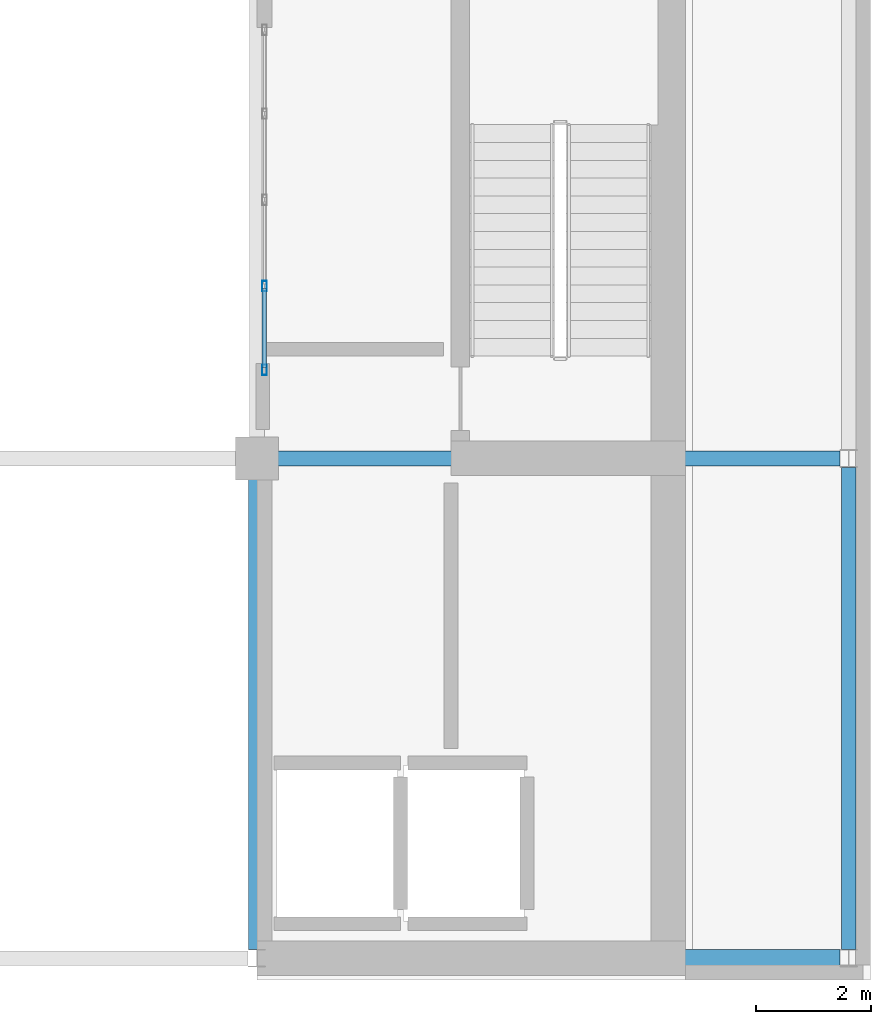
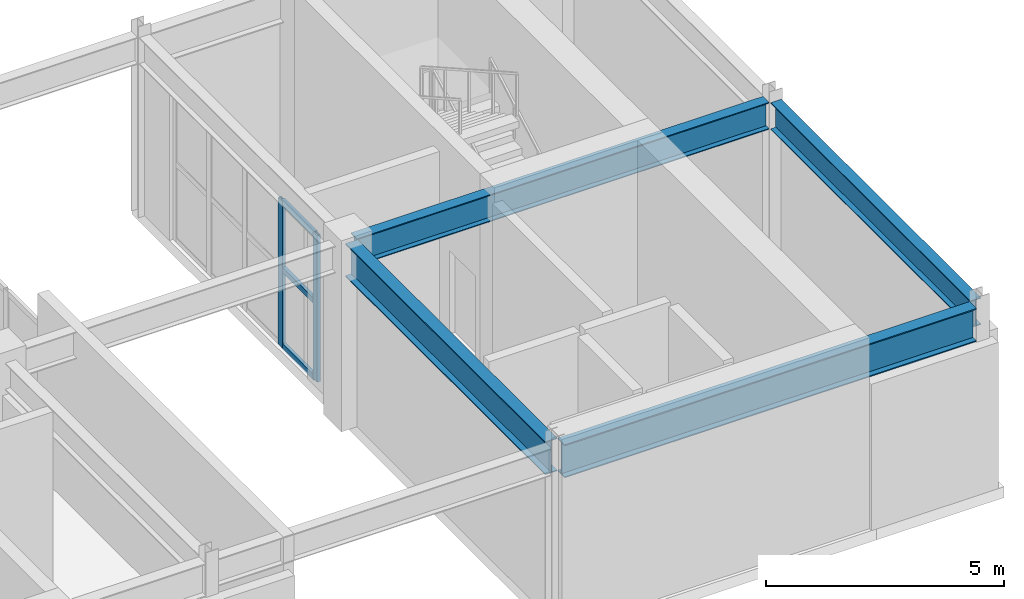
# One storey, part 3 of 9: 5 members, 4 beams, 1 element without a shape of its own.
"""IFC4 building model written with IfcOpenShell, lengths in metres."""

from ifc_helpers import new_model, si_unit, direction, frame, origin, origin_2d, place, context, subcontext, project, spatial, hollow_rectangle, i_section, extrude, material, layer, layer_set, material_profile, profile_set, type_object, element, aggregate, save


model = new_model("IFC4")

# Units and contexts
model_context = context("Model", 3, precision=1e-05, world=origin(), true_north=direction((0.0, 1.0)))
body_context = subcontext(model_context, "Body", "Model", "MODEL_VIEW")
ifc_project = project(units=[si_unit("LENGTHUNIT", "METRE"), si_unit("AREAUNIT", "SQUARE_METRE"), si_unit("VOLUMEUNIT", "CUBIC_METRE"), si_unit("PLANEANGLEUNIT", "RADIAN"), si_unit("MASSUNIT", "GRAM", prefix="KILO")], contexts=[model_context])

# Site, building, storey
site_placement = place(None, origin())
site = spatial("IfcSite", under=ifc_project, at=site_placement, CompositionType="ELEMENT")
building_placement = place(site_placement, origin())
building = spatial("IfcBuilding", under=site, at=building_placement, Name="Solanera Arch Residences", CompositionType="ELEMENT")
storey_placement = place(building_placement, frame((0.0, 0.0, 292.780029296875)))
storey = spatial("IfcBuildingStorey", under=building, at=storey_placement, Name="L83", CompositionType="ELEMENT", Elevation=292.780029296875)

# Curtain wall, members
ifc_material_1 = material(Name="Anodised Aluminium Alloy 6063-T6", Category="aluminium")
ifc_layer = layer(ifc_material_1, 0.179931640625)
ifc_layer_set = layer_set([ifc_layer], Name="Anodised Aluminium Alloy 6063-T6")
curtain_wall_type = type_object("IfcCurtainWallType", Name="CW-6 Split-Top Crown Lantern Curtain Wall", PredefinedType="USERDEFINED", material=ifc_layer_set)
curtain_wall_placement = place(storey_placement, origin())
curtain_wall = element("IfcCurtainWall", 1, at=curtain_wall_placement, inside=storey, type_object=curtain_wall_type, Name="L83 E Crown Cleft Lantern Curtain Wall", ObjectType="CURTAIN_WALL", PredefinedType="USERDEFINED")
ifc_material_2 = material(Name="Anodised Aluminium Alloy 6063-T6", Category="aluminium")
ifc_material_profile_1 = material_profile(ifc_material_2, hollow_rectangle(XDim=0.080078125, YDim=0.179931640625, WallThickness=0.00390625, at=origin_2d()))
ifc_profile_set_1 = profile_set([ifc_material_profile_1], Name="Anodised Aluminium Alloy 6063-T6")
member_type_1 = type_object("IfcMemberType", Name="Curtain Wall Mullion ALU-MUL-80X180", PredefinedType="MULLION", material=ifc_profile_set_1)
member_1_placement = place(storey_placement, frame((29.330078125, 32.239990234375, 0.0), z_axis=(0.0, 0.0, 1.0), x_axis=(-1.0, 0.0, 0.0)))
member_1 = element("IfcMember", 2, at=member_1_placement, type_object=member_type_1, Name="CW-6 mullion 1", PredefinedType="MULLION", context=body_context, shape_type="SweptSolid", body=[
    extrude(hollow_rectangle(XDim=0.080078125, YDim=0.179931640625, WallThickness=0.00390625, at=origin_2d()), origin(), (0.0, 0.0, 1.0), 3.760009765625),
])
member_2_placement = place(storey_placement, frame((29.330078125, 33.699951171875, 0.0), z_axis=(0.0, 0.0, 1.0), x_axis=(-1.0, 0.0, 0.0)))
member_2 = element("IfcMember", 3, at=member_2_placement, type_object=member_type_1, Name="CW-6 mullion 2", PredefinedType="MULLION", context=body_context, shape_type="SweptSolid", body=[
    extrude(hollow_rectangle(XDim=0.080078125, YDim=0.179931640625, WallThickness=0.00390625, at=origin_2d()), origin(), (0.0, 0.0, 1.0), 3.760009765625),
])
ifc_material_3 = material(Name="Anodised Aluminium Alloy 6063-T6", Category="aluminium")
ifc_material_profile_2 = material_profile(ifc_material_3, hollow_rectangle(XDim=0.080078125, YDim=0.139892578125, WallThickness=0.00390625, at=origin_2d()))
ifc_profile_set_2 = profile_set([ifc_material_profile_2], Name="Anodised Aluminium Alloy 6063-T6")
member_type_2 = type_object("IfcMemberType", Name="Curtain Wall Transom ALU-TRN-80X140", PredefinedType="USERDEFINED", material=ifc_profile_set_2)
member_3_placement = place(storey_placement, frame((29.330078125, 32.280029296875, 0.0400390625), z_axis=(0.0, 1.0, 0.0), x_axis=(-1.0, 0.0, 0.0)))
member_3 = element("IfcMember", 4, at=member_3_placement, type_object=member_type_2, Name="CW-6 transom 1.1", ObjectType="TRANSOM", PredefinedType="USERDEFINED", context=body_context, shape_type="SweptSolid", body=[
    extrude(hollow_rectangle(XDim=0.080078125, YDim=0.139892578125, WallThickness=0.00390625, at=origin_2d()), origin(), (0.0, 0.0, 1.0), 1.3798828125),
])
member_4_placement = place(storey_placement, frame((29.330078125, 32.280029296875, 2.0), z_axis=(0.0, 1.0, 0.0), x_axis=(-1.0, 0.0, 0.0)))
member_4 = element("IfcMember", 5, at=member_4_placement, type_object=member_type_2, Name="CW-6 transom 1.2", ObjectType="TRANSOM", PredefinedType="USERDEFINED", context=body_context, shape_type="SweptSolid", body=[
    extrude(hollow_rectangle(XDim=0.080078125, YDim=0.139892578125, WallThickness=0.00390625, at=origin_2d()), origin(), (0.0, 0.0, 1.0), 1.3798828125),
])
member_5_placement = place(storey_placement, frame((29.330078125, 32.280029296875, 3.719970703125), z_axis=(0.0, 1.0, 0.0), x_axis=(-1.0, 0.0, 0.0)))
member_5 = element("IfcMember", 6, at=member_5_placement, type_object=member_type_2, Name="CW-6 transom 1.3", ObjectType="TRANSOM", PredefinedType="USERDEFINED", context=body_context, shape_type="SweptSolid", body=[
    extrude(hollow_rectangle(XDim=0.080078125, YDim=0.139892578125, WallThickness=0.00390625, at=origin_2d()), origin(), (0.0, 0.0, 1.0), 1.3798828125),
])
aggregate(curtain_wall, [member_1, member_2, member_3, member_4, member_5])

# Beams
ifc_material_4 = material(Name="Steel S355 (ASTM A992 / A572 Grade 50)", Category="steel")
ifc_material_profile_3 = material_profile(ifc_material_4, i_section(OverallWidth=0.256103515625, OverallDepth=0.693115234375, WebThickness=0.014404296875, FlangeThickness=0.023681640625, at=origin_2d()))
ifc_profile_set_3 = profile_set([ifc_material_profile_3], Name="Steel S355 (ASTM A992 / A572 Grade 50)")
beam_type_1 = type_object("IfcBeamType", Name="Primary Beam W690X170", PredefinedType="BEAM", material=ifc_profile_set_3)
beam_1_placement = place(storey_placement, frame((29.35205078125, 30.699951171875, 4.27294921875), z_axis=(1.0, 0.0, 0.0), x_axis=(0.0, 1.0, 0.0)))
element("IfcBeam", 7, at=beam_1_placement, inside=storey, type_object=beam_type_1, Name="BM-L83-CR-EM", PredefinedType="BEAM", context=body_context, shape_type="SweptSolid", body=[
    extrude(i_section(OverallWidth=0.256103515625, OverallDepth=0.693115234375, WebThickness=0.014404296875, FlangeThickness=0.023681640625, at=origin_2d()), origin(), (0.0, 0.0, 1.0), 9.995849609375),
])
beam_2_placement = place(storey_placement, frame((39.5, 22.154052734375, 4.27294921875), z_axis=(0.0, 1.0, 0.0), x_axis=(-1.0, 0.0, 0.0)))
element("IfcBeam", 8, at=beam_2_placement, inside=storey, type_object=beam_type_1, Name="BM-L83-CR-E3", PredefinedType="BEAM", context=body_context, shape_type="SweptSolid", body=[
    extrude(i_section(OverallWidth=0.256103515625, OverallDepth=0.693115234375, WebThickness=0.014404296875, FlangeThickness=0.023681640625, at=origin_2d()), origin(), (0.0, 0.0, 1.0), 8.391845703125),
])
ifc_material_5 = material(Name="Steel S355 (ASTM A992 / A572 Grade 50)", Category="steel")
ifc_material_profile_4 = material_profile(ifc_material_5, i_section(OverallWidth=0.2939453125, OverallDepth=0.85107421875, WebThickness=0.01611328125, FlangeThickness=0.02685546875, at=origin_2d()))
ifc_profile_set_4 = profile_set([ifc_material_profile_4], Name="Steel S355 (ASTM A992 / A572 Grade 50)")
beam_type_2 = type_object("IfcBeamType", Name="Primary Beam W840X226", PredefinedType="BEAM", material=ifc_profile_set_4)
beam_3_placement = place(storey_placement, frame((29.35205078125, 22.0, 4.194091796875), z_axis=(1.0, 0.0, 0.0), x_axis=(0.0, 1.0, 0.0)))
element("IfcBeam", 9, at=beam_3_placement, inside=storey, type_object=beam_type_2, Name="BM-L83-CR-ES", PredefinedType="BEAM", context=body_context, shape_type="SweptSolid", body=[
    extrude(i_section(OverallWidth=0.2939453125, OverallDepth=0.85107421875, WebThickness=0.01611328125, FlangeThickness=0.02685546875, at=origin_2d()), origin(), (0.0, 0.0, 1.0), 9.995849609375),
])
beam_4_placement = place(storey_placement, frame((29.199951171875, 22.154052734375, 4.194091796875), z_axis=(0.0, 1.0, 0.0), x_axis=(-1.0, 0.0, 0.0)))
element("IfcBeam", 10, at=beam_4_placement, inside=storey, type_object=beam_type_2, Name="BM-L83-CR-E1", PredefinedType="BEAM", context=body_context, shape_type="SweptSolid", body=[
    extrude(i_section(OverallWidth=0.2939453125, OverallDepth=0.85107421875, WebThickness=0.01611328125, FlangeThickness=0.02685546875, at=origin_2d()), origin(), (0.0, 0.0, 1.0), 8.391845703125),
])

save(model, "model.ifc")
